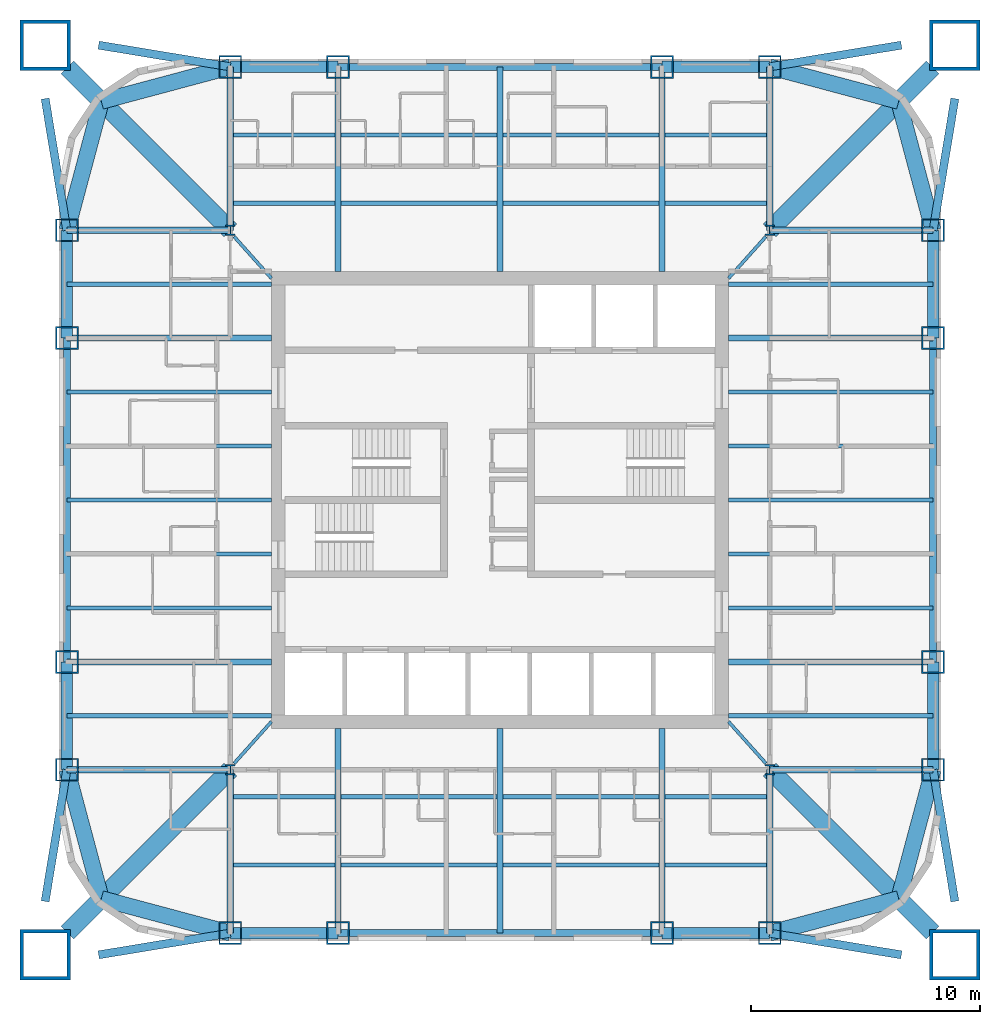
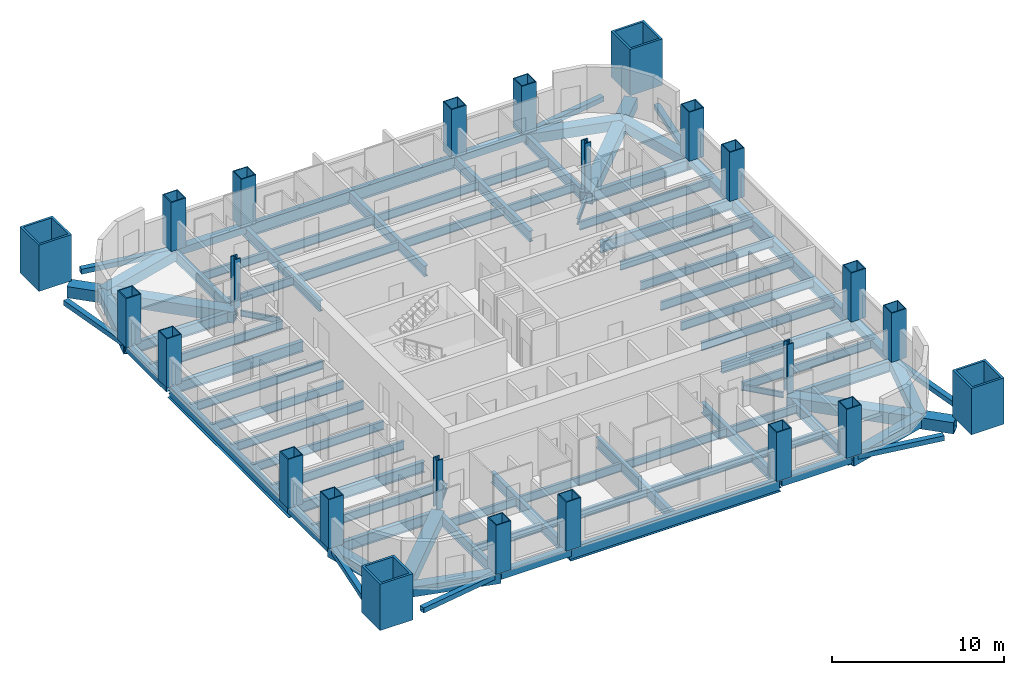
# One storey, part 1 of 9: 84 beams, 24 columns.
"""IFC4 building model written with IfcOpenShell, lengths in metres."""

from ifc_helpers import new_model, si_unit, direction, frame, origin, origin_2d, place, context, subcontext, project, spatial, hollow_rectangle, i_section, extrude, clip, halfspace, material, material_profile, profile_set, type_object, element, save


model = new_model("IFC4")

# Units and contexts
model_context = context("Model", 3, precision=1e-05, world=origin(), true_north=direction((0.0, 1.0)))
body_context = subcontext(model_context, "Body", "Model", "MODEL_VIEW")
ifc_project = project(units=[si_unit("LENGTHUNIT", "METRE"), si_unit("AREAUNIT", "SQUARE_METRE"), si_unit("VOLUMEUNIT", "CUBIC_METRE"), si_unit("PLANEANGLEUNIT", "RADIAN"), si_unit("MASSUNIT", "GRAM", prefix="KILO")], contexts=[model_context])

# Site, building, storey
site_placement = place(None, origin())
site = spatial("IfcSite", under=ifc_project, at=site_placement, CompositionType="ELEMENT")
building_placement = place(site_placement, origin())
building = spatial("IfcBuilding", under=site, at=building_placement, Name="Turquesa Mirador Hotel Tower", CompositionType="ELEMENT")
storey_placement = place(building_placement, frame((0.0, 0.0, 217.800048828125)))
storey = spatial("IfcBuildingStorey", under=building, at=storey_placement, Name="L59", CompositionType="ELEMENT", Elevation=217.800048828125)

# Columns
ifc_material_1 = material(Name="Steel ASTM A572 Grade 50", Category="steel")
ifc_material_profile_1 = material_profile(ifc_material_1, hollow_rectangle(XDim=1.0, YDim=1.0, WallThickness=0.06005859375, at=origin_2d()), Name="BOX1000X1000X60")
ifc_profile_set_1 = profile_set([ifc_material_profile_1], Name="Steel ASTM A572 Grade 50")
column_type_1 = type_object("IfcColumnType", Name="COLUMN BOX1000X1000X60", PredefinedType="COLUMN", material=ifc_profile_set_1)
for number, where, z_axis, x_axis, name in (
    (1, (36.050048828125, 33.199951171875, 0.0), (0.0, 0.0, 1.0), (1.0, 0.0, 0.0), "COL-L59-P--18.95--11.80"),
    (2, (36.050048828125, 37.919921875, 0.0), (0.0, 0.0, 1.0), (1.0, 0.0, 0.0), "COL-L59-P--18.95--7.08"),
    (3, (36.050048828125, 52.080078125, 0.0), (0.0, 0.0, 1.0), (1.0, 0.0, 0.0), "COL-L59-P--18.95-+7.08"),
    (4, (36.050048828125, 56.800048828125, 0.0), (0.0, 0.0, 1.0), (1.0, 0.0, 0.0), "COL-L59-P--18.95-+11.80"),
    (5, (43.199951171875, 26.050048828125, 0.0), (0.0, 0.0, 1.0), (1.0, 0.0, 0.0), "COL-L59-P--11.80--18.95"),
    (6, (43.199951171875, 63.949951171875, 0.0), (0.0, 0.0, 1.0), (1.0, 0.0, 0.0), "COL-L59-P--11.80-+18.95"),
    (7, (47.919921875, 26.050048828125, 0.0), (0.0, 0.0, 1.0), (1.0, 0.0, 0.0), "COL-L59-P--7.08--18.95"),
    (8, (47.919921875, 63.949951171875, 0.0), (0.0, 0.0, 1.0), (1.0, 0.0, 0.0), "COL-L59-P--7.08-+18.95"),
    (9, (62.080078125, 26.050048828125, 0.0), (0.0, 0.0, 1.0), (1.0, 0.0, 0.0), "COL-L59-P-+7.08--18.95"),
    (10, (62.080078125, 63.949951171875, 0.0), (0.0, 0.0, 1.0), (1.0, 0.0, 0.0), "COL-L59-P-+7.08-+18.95"),
    (11, (66.800048828125, 26.050048828125, 0.0), (0.0, 0.0, 1.0), (1.0, 0.0, 0.0), "COL-L59-P-+11.80--18.95"),
    (12, (66.800048828125, 63.949951171875, 0.0), (0.0, 0.0, 1.0), (1.0, 0.0, 0.0), "COL-L59-P-+11.80-+18.95"),
    (13, (73.949951171875, 33.199951171875, 0.0), (0.0, 0.0, 1.0), (1.0, 0.0, 0.0), "COL-L59-P-+18.95--11.80"),
    (14, (73.949951171875, 37.919921875, 0.0), (0.0, 0.0, 1.0), (1.0, 0.0, 0.0), "COL-L59-P-+18.95--7.08"),
    (15, (73.949951171875, 52.080078125, 0.0), (0.0, 0.0, 1.0), (1.0, 0.0, 0.0), "COL-L59-P-+18.95-+7.08"),
    (16, (73.949951171875, 56.800048828125, 0.0), (0.0, 0.0, 1.0), (1.0, 0.0, 0.0), "COL-L59-P-+18.95-+11.80"),
):
    element("IfcColumn", number, at=place(storey_placement, frame(where, z_axis=z_axis, x_axis=x_axis)), inside=storey, type_object=column_type_1, Name=name, PredefinedType="COLUMN", context=body_context, shape_type="SweptSolid", body=[
        extrude(hollow_rectangle(XDim=1.0, YDim=1.0, WallThickness=0.06005859375, at=origin_2d()), origin(), (0.0, 0.0, 1.0), 3.5),
    ])
ifc_material_2 = material(Name="Steel ASTM A992 Grade 50", Category="steel")
ifc_material_profile_2 = material_profile(ifc_material_2, i_section(OverallWidth=0.421630859375, OverallDepth=0.46484375, WebThickness=0.044921875, FlangeThickness=0.072509765625, at=origin_2d()), Name="W14X398")
ifc_profile_set_2 = profile_set([ifc_material_profile_2], Name="Steel ASTM A992 Grade 50")
column_type_2 = type_object("IfcColumnType", Name="COLUMN W14X398", PredefinedType="COLUMN", material=ifc_profile_set_2)
for number, where, z_axis, x_axis, name in (
    (17, (43.199951171875, 33.199951171875, 0.0), (0.0, 0.0, 1.0), (1.0, 0.0, 0.0), "COL-L59-K--11.80--11.80"),
    (18, (43.199951171875, 56.800048828125, 0.0), (0.0, 0.0, 1.0), (1.0, 0.0, 0.0), "COL-L59-K--11.80-+11.80"),
    (19, (66.800048828125, 33.199951171875, 0.0), (0.0, 0.0, 1.0), (1.0, 0.0, 0.0), "COL-L59-K-+11.80--11.80"),
    (20, (66.800048828125, 56.800048828125, 0.0), (0.0, 0.0, 1.0), (1.0, 0.0, 0.0), "COL-L59-K-+11.80-+11.80"),
):
    element("IfcColumn", number, at=place(storey_placement, frame(where, z_axis=z_axis, x_axis=x_axis)), inside=storey, type_object=column_type_2, Name=name, PredefinedType="COLUMN", context=body_context, shape_type="SweptSolid", body=[
        extrude(i_section(OverallWidth=0.421630859375, OverallDepth=0.46484375, WebThickness=0.044921875, FlangeThickness=0.072509765625, at=origin_2d()), origin(), (0.0, 0.0, 1.0), 3.5),
    ])
ifc_material_3 = material(Name="Steel ASTM A514 Grade Q", Category="steel")
ifc_material_profile_3 = material_profile(ifc_material_3, hollow_rectangle(XDim=2.199951171875, YDim=2.199951171875, WallThickness=0.14990234375, at=origin_2d()), Name="BOX2200X2200X150")
ifc_profile_set_3 = profile_set([ifc_material_profile_3], Name="Steel ASTM A514 Grade Q")
column_type_3 = type_object("IfcColumnType", Name="MEGA COLUMN BOX2200X2200X150", PredefinedType="COLUMN", material=ifc_profile_set_3)
for number, where, z_axis, x_axis, name in (
    (21, (74.89990234375, 64.89990234375, 0.0), (0.0, 0.0, 1.0), (1.0, 0.0, 0.0), "Mega column M1"),
    (22, (35.10009765625, 64.89990234375, 0.0), (0.0, 0.0, 1.0), (1.0, 0.0, 0.0), "Mega column M2"),
    (23, (35.10009765625, 25.10009765625, 0.0), (0.0, 0.0, 1.0), (1.0, 0.0, 0.0), "Mega column M3"),
    (24, (74.89990234375, 25.10009765625, 0.0), (0.0, 0.0, 1.0), (1.0, 0.0, 0.0), "Mega column M4"),
):
    element("IfcColumn", number, at=place(storey_placement, frame(where, z_axis=z_axis, x_axis=x_axis)), inside=storey, type_object=column_type_3, Name=name, PredefinedType="COLUMN", context=body_context, shape_type="Clipping", body=[
        clip(extrude(hollow_rectangle(XDim=2.199951171875, YDim=2.199951171875, WallThickness=0.14990234375, at=origin_2d()), origin(), (0.0, 0.0, 1.0), 3.5), halfspace(frame((0.0, 0.0, 3.298095703125), z_axis=(0.0, 0.0, 1.0), x_axis=(1.0, 0.0, 0.0)), False)),
    ])

# Beams
ifc_material_4 = material(Name="Steel ASTM A572 Grade 50", Category="steel")
ifc_material_profile_4 = material_profile(ifc_material_4, hollow_rectangle(XDim=0.5, YDim=0.5, WallThickness=0.01611328125, at=origin_2d()), Name="BOX500X500X16")
ifc_profile_set_4 = profile_set([ifc_material_profile_4], Name="Steel ASTM A572 Grade 50")
beam_type_1 = type_object("IfcBeamType", Name="BEAM BOX500X500X16", PredefinedType="BEAM", material=ifc_profile_set_4)
for number, where, z_axis, x_axis, name in (
    (25, (43.199951171875, 63.949951171875, -0.420166015625), (1.0, 0.0, 0.0), (0.0, 1.0, 0.0), "EB-L59-N-L"),
    (26, (62.080078125, 63.949951171875, -0.420166015625), (1.0, 0.0, 0.0), (0.0, 1.0, 0.0), "EB-L59-N-R"),
    (27, (43.199951171875, 26.050048828125, -0.420166015625), (1.0, 0.0, 0.0), (0.0, 1.0, 0.0), "EB-L59-S-L"),
    (28, (62.080078125, 26.050048828125, -0.420166015625), (1.0, 0.0, 0.0), (0.0, 1.0, 0.0), "EB-L59-S-R"),
    (29, (73.949951171875, 33.199951171875, -0.420166015625), (0.0, 1.0, 0.0), (-1.0, 0.0, 0.0), "EB-L59-E-L"),
    (30, (73.949951171875, 52.080078125, -0.420166015625), (0.0, 1.0, 0.0), (-1.0, 0.0, 0.0), "EB-L59-E-R"),
    (31, (36.050048828125, 33.199951171875, -0.420166015625), (0.0, 1.0, 0.0), (-1.0, 0.0, 0.0), "EB-L59-W-L"),
    (32, (36.050048828125, 52.080078125, -0.420166015625), (0.0, 1.0, 0.0), (-1.0, 0.0, 0.0), "EB-L59-W-R"),
):
    element("IfcBeam", number, at=place(storey_placement, frame(where, z_axis=z_axis, x_axis=x_axis)), inside=storey, type_object=beam_type_1, Name=name, PredefinedType="BEAM", context=body_context, shape_type="SweptSolid", body=[
        extrude(hollow_rectangle(XDim=0.5, YDim=0.5, WallThickness=0.01611328125, at=origin_2d()), origin(), (0.0, 0.0, 1.0), 4.719970703125),
    ])
ifc_material_5 = material(Name="Steel ASTM A572 Grade 50", Category="steel")
ifc_material_profile_5 = material_profile(ifc_material_5, hollow_rectangle(XDim=0.699951171875, YDim=0.699951171875, WallThickness=0.044921875, at=origin_2d()), Name="BOX700X700X45")
ifc_profile_set_5 = profile_set([ifc_material_profile_5], Name="Steel ASTM A572 Grade 50")
beam_type_2 = type_object("IfcBeamType", Name="BEAM BOX700X700X45", PredefinedType="BEAM", material=ifc_profile_set_5)
for number, where, z_axis, x_axis, name in (
    (33, (73.949951171875, 56.800048828125, -0.52001953125), (-0.258281892145, 0.966069595935, 0.0), (-0.966069595935, -0.258281892145, 0.0), "KE-L59-1-0"),
    (34, (72.441650390625, 62.441650390625, -0.52001953125), (-0.966069595935, 0.258281892145, 0.0), (-0.258281892145, -0.966069595935, 0.0), "KE-L59-1-1"),
    (35, (36.050048828125, 56.800048828125, -0.52001953125), (0.258281892145, 0.966069595935, 0.0), (-0.966069595935, 0.258281892145, 0.0), "KE-L59-2-0"),
    (36, (37.558349609375, 62.441650390625, -0.52001953125), (0.966069595935, 0.258281892145, 0.0), (-0.258281892145, 0.966069595935, 0.0), "KE-L59-2-1"),
    (37, (36.050048828125, 33.199951171875, -0.52001953125), (0.258281892145, -0.966069595935, 0.0), (0.966069595935, 0.258281892145, 0.0), "KE-L59-3-0"),
    (38, (37.558349609375, 27.558349609375, -0.52001953125), (0.966069595935, -0.258281892145, 0.0), (0.258281892145, 0.966069595935, 0.0), "KE-L59-3-1"),
    (39, (73.949951171875, 33.199951171875, -0.52001953125), (-0.258281892145, -0.966069595935, 0.0), (0.966069595935, -0.258281892145, 0.0), "KE-L59-4-0"),
    (40, (72.441650390625, 27.558349609375, -0.52001953125), (-0.966069595935, -0.258281892145, 0.0), (0.258281892145, -0.966069595935, 0.0), "KE-L59-4-1"),
):
    element("IfcBeam", number, at=place(storey_placement, frame(where, z_axis=z_axis, x_axis=x_axis)), inside=storey, type_object=beam_type_2, Name=name, PredefinedType="BEAM", context=body_context, shape_type="SweptSolid", body=[
        extrude(hollow_rectangle(XDim=0.699951171875, YDim=0.699951171875, WallThickness=0.044921875, at=origin_2d()), origin(), (0.0, 0.0, 1.0), 5.83984375),
    ])
ifc_material_6 = material(Name="Steel ASTM A572 Grade 50", Category="steel")
ifc_material_profile_6 = material_profile(ifc_material_6, hollow_rectangle(XDim=0.800048828125, YDim=0.800048828125, WallThickness=0.050048828125, at=origin_2d()), Name="BOX800X800X50")
ifc_profile_set_6 = profile_set([ifc_material_profile_6], Name="Steel ASTM A572 Grade 50")
beam_type_3 = type_object("IfcBeamType", Name="BEAM BOX800X800X50", PredefinedType="BEAM", material=ifc_profile_set_6)
for number, where, z_axis, x_axis, name in (
    (41, (66.800048828125, 56.800048828125, -0.570068359375), (0.707106781187, 0.707106781187, 0.0), (-0.707106781187, 0.707106781187, 0.0), "KD-L59-1"),
    (42, (43.199951171875, 56.800048828125, -0.570068359375), (-0.707106781187, 0.707106781187, 0.0), (-0.707106781187, -0.707106781187, 0.0), "KD-L59-2"),
    (43, (43.199951171875, 33.199951171875, -0.570068359375), (-0.707106781187, -0.707106781187, 0.0), (0.707106781187, -0.707106781187, 0.0), "KD-L59-3"),
    (44, (66.800048828125, 33.199951171875, -0.570068359375), (0.707106781187, -0.707106781187, 0.0), (0.707106781187, 0.707106781187, 0.0), "KD-L59-4"),
):
    element("IfcBeam", number, at=place(storey_placement, frame(where, z_axis=z_axis, x_axis=x_axis)), inside=storey, type_object=beam_type_3, Name=name, PredefinedType="BEAM", context=body_context, shape_type="SweptSolid", body=[
        extrude(hollow_rectangle(XDim=0.800048828125, YDim=0.800048828125, WallThickness=0.050048828125, at=origin_2d()), origin(), (0.0, 0.0, 1.0), 10.080322265625),
    ])
ifc_material_7 = material(Name="Steel ASTM A992 Grade 50", Category="steel")
ifc_material_profile_7 = material_profile(ifc_material_7, i_section(OverallWidth=0.140380859375, OverallDepth=0.40380859375, WebThickness=0.007080078125, FlangeThickness=0.01123046875, at=origin_2d()), Name="W16X31")
ifc_profile_set_7 = profile_set([ifc_material_profile_7], Name="Steel ASTM A992 Grade 50")
beam_type_4 = type_object("IfcBeamType", Name="BEAM W16X31", PredefinedType="BEAM", material=ifc_profile_set_7)
for number, where, z_axis, x_axis, name in (
    (45, (66.634765625, 56.527099609375, -0.3720703125), (-0.666783216266, -0.745251730964, 0.0), (0.745251730964, -0.666783216266, 0.0), "KT-L59-1"),
    (46, (43.365234375, 56.527099609375, -0.3720703125), (0.666783216266, -0.745251730964, 0.0), (0.745251730964, 0.666783216266, 0.0), "KT-L59-2"),
    (47, (43.365234375, 33.472900390625, -0.3720703125), (0.666783216266, 0.745251730964, 0.0), (-0.745251730964, 0.666783216266, 0.0), "KT-L59-3"),
    (48, (66.634765625, 33.472900390625, -0.3720703125), (-0.666783216266, 0.745251730964, 0.0), (-0.745251730964, -0.666783216266, 0.0), "KT-L59-4"),
):
    element("IfcBeam", number, at=place(storey_placement, frame(where, z_axis=z_axis, x_axis=x_axis)), inside=storey, type_object=beam_type_4, Name=name, PredefinedType="BEAM", context=body_context, shape_type="SweptSolid", body=[
        extrude(i_section(OverallWidth=0.140380859375, OverallDepth=0.40380859375, WebThickness=0.007080078125, FlangeThickness=0.01123046875, at=origin_2d()), origin(), (0.0, 0.0, 1.0), 2.45166015625),
    ])
ifc_material_8 = material(Name="Steel ASTM A992 Grade 50", Category="steel")
ifc_material_profile_8 = material_profile(ifc_material_8, i_section(OverallWidth=0.177978515625, OverallDepth=0.599365234375, WebThickness=0.010009765625, FlangeThickness=0.012939453125, at=origin_2d()), Name="W24X55")
ifc_profile_set_8 = profile_set([ifc_material_profile_8], Name="Steel ASTM A992 Grade 50")
beam_type_5 = type_object("IfcBeamType", Name="BEAM W24X55", PredefinedType="BEAM", material=ifc_profile_set_8)
beam_1_placement = place(storey_placement, frame((43.333251953125, 57.98291015625, -0.4697265625), z_axis=(1.0, 0.0, 0.0), x_axis=(0.0, 1.0, 0.0)))
element("IfcBeam", 49, at=beam_1_placement, inside=storey, type_object=beam_type_5, Name="IB-L59-N-1-0", PredefinedType="BEAM", context=body_context, shape_type="SweptSolid", body=[
    extrude(i_section(OverallWidth=0.177978515625, OverallDepth=0.599365234375, WebThickness=0.010009765625, FlangeThickness=0.012939453125, at=origin_2d()), origin(), (0.0, 0.0, 1.0), 4.453369140625),
])
for number, where, z_axis, x_axis, name in (
    (50, (48.053466796875, 57.98291015625, -0.4697265625), (1.0, 0.0, 0.0), (0.0, 1.0, 0.0), "IB-L59-N-1-1"),
    (51, (55.13330078125, 57.98291015625, -0.4697265625), (1.0, 0.0, 0.0), (0.0, 1.0, 0.0), "IB-L59-N-1-2"),
):
    element("IfcBeam", number, at=place(storey_placement, frame(where, z_axis=z_axis, x_axis=x_axis)), inside=storey, type_object=beam_type_5, Name=name, PredefinedType="BEAM", context=body_context, shape_type="SweptSolid", body=[
        extrude(i_section(OverallWidth=0.177978515625, OverallDepth=0.599365234375, WebThickness=0.010009765625, FlangeThickness=0.012939453125, at=origin_2d()), origin(), (0.0, 0.0, 1.0), 6.813232421875),
    ])
for number, where, z_axis, x_axis, name in (
    (52, (62.21337890625, 57.98291015625, -0.4697265625), (1.0, 0.0, 0.0), (0.0, 1.0, 0.0), "IB-L59-N-1-3"),
    (53, (43.333251953125, 60.967041015625, -0.4697265625), (1.0, 0.0, 0.0), (0.0, 1.0, 0.0), "IB-L59-N-2-0"),
):
    element("IfcBeam", number, at=place(storey_placement, frame(where, z_axis=z_axis, x_axis=x_axis)), inside=storey, type_object=beam_type_5, Name=name, PredefinedType="BEAM", context=body_context, shape_type="SweptSolid", body=[
        extrude(i_section(OverallWidth=0.177978515625, OverallDepth=0.599365234375, WebThickness=0.010009765625, FlangeThickness=0.012939453125, at=origin_2d()), origin(), (0.0, 0.0, 1.0), 4.453369140625),
    ])
for number, where, z_axis, x_axis, name in (
    (54, (48.053466796875, 60.967041015625, -0.4697265625), (1.0, 0.0, 0.0), (0.0, 1.0, 0.0), "IB-L59-N-2-1"),
    (55, (55.13330078125, 60.967041015625, -0.4697265625), (1.0, 0.0, 0.0), (0.0, 1.0, 0.0), "IB-L59-N-2-2"),
):
    element("IfcBeam", number, at=place(storey_placement, frame(where, z_axis=z_axis, x_axis=x_axis)), inside=storey, type_object=beam_type_5, Name=name, PredefinedType="BEAM", context=body_context, shape_type="SweptSolid", body=[
        extrude(i_section(OverallWidth=0.177978515625, OverallDepth=0.599365234375, WebThickness=0.010009765625, FlangeThickness=0.012939453125, at=origin_2d()), origin(), (0.0, 0.0, 1.0), 6.813232421875),
    ])
for number, where, z_axis, x_axis, name in (
    (56, (62.21337890625, 60.967041015625, -0.4697265625), (1.0, 0.0, 0.0), (0.0, 1.0, 0.0), "IB-L59-N-2-3"),
    (57, (43.333251953125, 32.01708984375, -0.4697265625), (1.0, 0.0, 0.0), (0.0, 1.0, 0.0), "IB-L59-S-1-0"),
):
    element("IfcBeam", number, at=place(storey_placement, frame(where, z_axis=z_axis, x_axis=x_axis)), inside=storey, type_object=beam_type_5, Name=name, PredefinedType="BEAM", context=body_context, shape_type="SweptSolid", body=[
        extrude(i_section(OverallWidth=0.177978515625, OverallDepth=0.599365234375, WebThickness=0.010009765625, FlangeThickness=0.012939453125, at=origin_2d()), origin(), (0.0, 0.0, 1.0), 4.453369140625),
    ])
for number, where, z_axis, x_axis, name in (
    (58, (48.053466796875, 32.01708984375, -0.4697265625), (1.0, 0.0, 0.0), (0.0, 1.0, 0.0), "IB-L59-S-1-1"),
    (59, (55.13330078125, 32.01708984375, -0.4697265625), (1.0, 0.0, 0.0), (0.0, 1.0, 0.0), "IB-L59-S-1-2"),
):
    element("IfcBeam", number, at=place(storey_placement, frame(where, z_axis=z_axis, x_axis=x_axis)), inside=storey, type_object=beam_type_5, Name=name, PredefinedType="BEAM", context=body_context, shape_type="SweptSolid", body=[
        extrude(i_section(OverallWidth=0.177978515625, OverallDepth=0.599365234375, WebThickness=0.010009765625, FlangeThickness=0.012939453125, at=origin_2d()), origin(), (0.0, 0.0, 1.0), 6.813232421875),
    ])
for number, where, z_axis, x_axis, name in (
    (60, (62.21337890625, 32.01708984375, -0.4697265625), (1.0, 0.0, 0.0), (0.0, 1.0, 0.0), "IB-L59-S-1-3"),
    (61, (43.333251953125, 29.032958984375, -0.4697265625), (1.0, 0.0, 0.0), (0.0, 1.0, 0.0), "IB-L59-S-2-0"),
):
    element("IfcBeam", number, at=place(storey_placement, frame(where, z_axis=z_axis, x_axis=x_axis)), inside=storey, type_object=beam_type_5, Name=name, PredefinedType="BEAM", context=body_context, shape_type="SweptSolid", body=[
        extrude(i_section(OverallWidth=0.177978515625, OverallDepth=0.599365234375, WebThickness=0.010009765625, FlangeThickness=0.012939453125, at=origin_2d()), origin(), (0.0, 0.0, 1.0), 4.453369140625),
    ])
for number, where, z_axis, x_axis, name in (
    (62, (48.053466796875, 29.032958984375, -0.4697265625), (1.0, 0.0, 0.0), (0.0, 1.0, 0.0), "IB-L59-S-2-1"),
    (63, (55.13330078125, 29.032958984375, -0.4697265625), (1.0, 0.0, 0.0), (0.0, 1.0, 0.0), "IB-L59-S-2-2"),
):
    element("IfcBeam", number, at=place(storey_placement, frame(where, z_axis=z_axis, x_axis=x_axis)), inside=storey, type_object=beam_type_5, Name=name, PredefinedType="BEAM", context=body_context, shape_type="SweptSolid", body=[
        extrude(i_section(OverallWidth=0.177978515625, OverallDepth=0.599365234375, WebThickness=0.010009765625, FlangeThickness=0.012939453125, at=origin_2d()), origin(), (0.0, 0.0, 1.0), 6.813232421875),
    ])
beam_2_placement = place(storey_placement, frame((62.21337890625, 29.032958984375, -0.4697265625), z_axis=(1.0, 0.0, 0.0), x_axis=(0.0, 1.0, 0.0)))
element("IfcBeam", 64, at=beam_2_placement, inside=storey, type_object=beam_type_5, Name="IB-L59-S-2-3", PredefinedType="BEAM", context=body_context, shape_type="SweptSolid", body=[
    extrude(i_section(OverallWidth=0.177978515625, OverallDepth=0.599365234375, WebThickness=0.010009765625, FlangeThickness=0.012939453125, at=origin_2d()), origin(), (0.0, 0.0, 1.0), 4.453369140625),
])
for number, where, z_axis, x_axis, name in (
    (65, (73.949951171875, 35.56005859375, -0.4697265625), (-1.0, 0.0, 0.0), (0.0, -1.0, 0.0), "BM-L59-E--9.44"),
    (66, (73.949951171875, 40.280029296875, -0.4697265625), (-1.0, 0.0, 0.0), (0.0, -1.0, 0.0), "BM-L59-E--4.72"),
    (67, (73.949951171875, 42.639892578125, -0.4697265625), (-1.0, 0.0, 0.0), (0.0, -1.0, 0.0), "BM-L59-E--2.36"),
    (68, (73.949951171875, 45.0, -0.4697265625), (-1.0, 0.0, 0.0), (0.0, -1.0, 0.0), "BM-L59-E-+0.00"),
    (69, (73.949951171875, 47.360107421875, -0.4697265625), (-1.0, 0.0, 0.0), (0.0, -1.0, 0.0), "BM-L59-E-+2.36"),
    (70, (73.949951171875, 49.719970703125, -0.4697265625), (-1.0, 0.0, 0.0), (0.0, -1.0, 0.0), "BM-L59-E-+4.72"),
    (71, (73.949951171875, 54.43994140625, -0.4697265625), (-1.0, 0.0, 0.0), (0.0, -1.0, 0.0), "BM-L59-E-+9.44"),
    (72, (36.050048828125, 35.56005859375, -0.4697265625), (1.0, 0.0, 0.0), (0.0, 1.0, 0.0), "BM-L59-W--9.44"),
    (73, (36.050048828125, 40.280029296875, -0.4697265625), (1.0, 0.0, 0.0), (0.0, 1.0, 0.0), "BM-L59-W--4.72"),
    (74, (36.050048828125, 42.639892578125, -0.4697265625), (1.0, 0.0, 0.0), (0.0, 1.0, 0.0), "BM-L59-W--2.36"),
    (75, (36.050048828125, 45.0, -0.4697265625), (1.0, 0.0, 0.0), (0.0, 1.0, 0.0), "BM-L59-W-+0.00"),
    (76, (36.050048828125, 47.360107421875, -0.4697265625), (1.0, 0.0, 0.0), (0.0, 1.0, 0.0), "BM-L59-W-+2.36"),
    (77, (36.050048828125, 49.719970703125, -0.4697265625), (1.0, 0.0, 0.0), (0.0, 1.0, 0.0), "BM-L59-W-+4.72"),
    (78, (36.050048828125, 54.43994140625, -0.4697265625), (1.0, 0.0, 0.0), (0.0, 1.0, 0.0), "BM-L59-W-+9.44"),
):
    element("IfcBeam", number, at=place(storey_placement, frame(where, z_axis=z_axis, x_axis=x_axis)), inside=storey, type_object=beam_type_5, Name=name, PredefinedType="BEAM", context=body_context, shape_type="SweptSolid", body=[
        extrude(i_section(OverallWidth=0.177978515625, OverallDepth=0.599365234375, WebThickness=0.010009765625, FlangeThickness=0.012939453125, at=origin_2d()), origin(), (0.0, 0.0, 1.0), 8.949951171875),
    ])
ifc_material_9 = material(Name="Steel ASTM A992 Grade 50", Category="steel")
ifc_material_profile_9 = material_profile(ifc_material_9, i_section(OverallWidth=0.2666015625, OverallDepth=0.7568359375, WebThickness=0.013916015625, FlangeThickness=0.019287109375, at=origin_2d()), Name="W30X108")
ifc_profile_set_9 = profile_set([ifc_material_profile_9], Name="Steel ASTM A992 Grade 50")
beam_type_6 = type_object("IfcBeamType", Name="BEAM W30X108", PredefinedType="BEAM", material=ifc_profile_set_9)
for number, where, z_axis, x_axis, name in (
    (79, (47.919921875, 63.949951171875, -0.548583984375), (0.0, -1.0, 0.0), (1.0, 0.0, 0.0), "GD-L59-N--7.08"),
    (80, (62.080078125, 63.949951171875, -0.548583984375), (0.0, -1.0, 0.0), (1.0, 0.0, 0.0), "GD-L59-N-+7.08"),
    (81, (55.0, 63.949951171875, -0.548583984375), (0.0, -1.0, 0.0), (1.0, 0.0, 0.0), "GD-L59-N-+0.00"),
):
    element("IfcBeam", number, at=place(storey_placement, frame(where, z_axis=z_axis, x_axis=x_axis)), inside=storey, type_object=beam_type_6, Name=name, PredefinedType="BEAM", context=body_context, shape_type="SweptSolid", body=[
        extrude(i_section(OverallWidth=0.2666015625, OverallDepth=0.7568359375, WebThickness=0.013916015625, FlangeThickness=0.019287109375, at=origin_2d()), origin(), (0.0, 0.0, 1.0), 8.949951171875),
    ])
for number, where, z_axis, x_axis, name in (
    (82, (43.199951171875, 63.949951171875, -0.548583984375), (0.0, -1.0, 0.0), (1.0, 0.0, 0.0), "GK-L59-N--11.80"),
    (83, (66.800048828125, 63.949951171875, -0.548583984375), (0.0, -1.0, 0.0), (1.0, 0.0, 0.0), "GK-L59-N-+11.80"),
):
    element("IfcBeam", number, at=place(storey_placement, frame(where, z_axis=z_axis, x_axis=x_axis)), inside=storey, type_object=beam_type_6, Name=name, PredefinedType="BEAM", context=body_context, shape_type="SweptSolid", body=[
        extrude(i_section(OverallWidth=0.2666015625, OverallDepth=0.7568359375, WebThickness=0.013916015625, FlangeThickness=0.019287109375, at=origin_2d()), origin(), (0.0, 0.0, 1.0), 7.14990234375),
    ])
for number, where, z_axis, x_axis, name in (
    (84, (47.919921875, 26.050048828125, -0.548583984375), (0.0, 1.0, 0.0), (-1.0, 0.0, 0.0), "GD-L59-S--7.08"),
    (85, (62.080078125, 26.050048828125, -0.548583984375), (0.0, 1.0, 0.0), (-1.0, 0.0, 0.0), "GD-L59-S-+7.08"),
    (86, (55.0, 26.050048828125, -0.548583984375), (0.0, 1.0, 0.0), (-1.0, 0.0, 0.0), "GD-L59-S-+0.00"),
):
    element("IfcBeam", number, at=place(storey_placement, frame(where, z_axis=z_axis, x_axis=x_axis)), inside=storey, type_object=beam_type_6, Name=name, PredefinedType="BEAM", context=body_context, shape_type="SweptSolid", body=[
        extrude(i_section(OverallWidth=0.2666015625, OverallDepth=0.7568359375, WebThickness=0.013916015625, FlangeThickness=0.019287109375, at=origin_2d()), origin(), (0.0, 0.0, 1.0), 8.949951171875),
    ])
for number, where, z_axis, x_axis, name in (
    (87, (43.199951171875, 26.050048828125, -0.548583984375), (0.0, 1.0, 0.0), (-1.0, 0.0, 0.0), "GK-L59-S--11.80"),
    (88, (66.800048828125, 26.050048828125, -0.548583984375), (0.0, 1.0, 0.0), (-1.0, 0.0, 0.0), "GK-L59-S-+11.80"),
):
    element("IfcBeam", number, at=place(storey_placement, frame(where, z_axis=z_axis, x_axis=x_axis)), inside=storey, type_object=beam_type_6, Name=name, PredefinedType="BEAM", context=body_context, shape_type="SweptSolid", body=[
        extrude(i_section(OverallWidth=0.2666015625, OverallDepth=0.7568359375, WebThickness=0.013916015625, FlangeThickness=0.019287109375, at=origin_2d()), origin(), (0.0, 0.0, 1.0), 7.14990234375),
    ])
for number, where, z_axis, x_axis, name in (
    (89, (73.949951171875, 37.919921875, -0.548583984375), (-1.0, 0.0, 0.0), (0.0, -1.0, 0.0), "GD-L59-E--7.08"),
    (90, (73.949951171875, 52.080078125, -0.548583984375), (-1.0, 0.0, 0.0), (0.0, -1.0, 0.0), "GD-L59-E-+7.08"),
):
    element("IfcBeam", number, at=place(storey_placement, frame(where, z_axis=z_axis, x_axis=x_axis)), inside=storey, type_object=beam_type_6, Name=name, PredefinedType="BEAM", context=body_context, shape_type="SweptSolid", body=[
        extrude(i_section(OverallWidth=0.2666015625, OverallDepth=0.7568359375, WebThickness=0.013916015625, FlangeThickness=0.019287109375, at=origin_2d()), origin(), (0.0, 0.0, 1.0), 8.949951171875),
    ])
for number, where, z_axis, x_axis, name in (
    (91, (73.949951171875, 33.199951171875, -0.548583984375), (-1.0, 0.0, 0.0), (0.0, -1.0, 0.0), "GK-L59-E--11.80"),
    (92, (73.949951171875, 56.800048828125, -0.548583984375), (-1.0, 0.0, 0.0), (0.0, -1.0, 0.0), "GK-L59-E-+11.80"),
):
    element("IfcBeam", number, at=place(storey_placement, frame(where, z_axis=z_axis, x_axis=x_axis)), inside=storey, type_object=beam_type_6, Name=name, PredefinedType="BEAM", context=body_context, shape_type="SweptSolid", body=[
        extrude(i_section(OverallWidth=0.2666015625, OverallDepth=0.7568359375, WebThickness=0.013916015625, FlangeThickness=0.019287109375, at=origin_2d()), origin(), (0.0, 0.0, 1.0), 7.14990234375),
    ])
for number, where, z_axis, x_axis, name in (
    (93, (36.050048828125, 37.919921875, -0.548583984375), (1.0, 0.0, 0.0), (0.0, 1.0, 0.0), "GD-L59-W--7.08"),
    (94, (36.050048828125, 52.080078125, -0.548583984375), (1.0, 0.0, 0.0), (0.0, 1.0, 0.0), "GD-L59-W-+7.08"),
):
    element("IfcBeam", number, at=place(storey_placement, frame(where, z_axis=z_axis, x_axis=x_axis)), inside=storey, type_object=beam_type_6, Name=name, PredefinedType="BEAM", context=body_context, shape_type="SweptSolid", body=[
        extrude(i_section(OverallWidth=0.2666015625, OverallDepth=0.7568359375, WebThickness=0.013916015625, FlangeThickness=0.019287109375, at=origin_2d()), origin(), (0.0, 0.0, 1.0), 8.949951171875),
    ])
for number, where, z_axis, x_axis, name in (
    (95, (36.050048828125, 33.199951171875, -0.548583984375), (1.0, 0.0, 0.0), (0.0, 1.0, 0.0), "GK-L59-W--11.80"),
    (96, (36.050048828125, 56.800048828125, -0.548583984375), (1.0, 0.0, 0.0), (0.0, 1.0, 0.0), "GK-L59-W-+11.80"),
):
    element("IfcBeam", number, at=place(storey_placement, frame(where, z_axis=z_axis, x_axis=x_axis)), inside=storey, type_object=beam_type_6, Name=name, PredefinedType="BEAM", context=body_context, shape_type="SweptSolid", body=[
        extrude(i_section(OverallWidth=0.2666015625, OverallDepth=0.7568359375, WebThickness=0.013916015625, FlangeThickness=0.019287109375, at=origin_2d()), origin(), (0.0, 0.0, 1.0), 7.14990234375),
    ])
ifc_material_10 = material(Name="Steel ASTM A992 Grade 50", Category="steel")
ifc_material_profile_10 = material_profile(ifc_material_10, i_section(OverallWidth=0.3046875, OverallDepth=0.911865234375, WebThickness=0.015869140625, FlangeThickness=0.02392578125, at=origin_2d()), Name="W36X150")
ifc_profile_set_10 = profile_set([ifc_material_profile_10], Name="Steel ASTM A992 Grade 50")
beam_type_7 = type_object("IfcBeamType", Name="BEAM W36X150", PredefinedType="BEAM", material=ifc_profile_set_10)
for number, where, z_axis, x_axis, name in (
    (97, (47.919921875, 63.949951171875, -0.6259765625), (1.0, 0.0, 0.0), (0.0, 1.0, 0.0), "EB-L59-N-C"),
    (98, (47.919921875, 26.050048828125, -0.6259765625), (1.0, 0.0, 0.0), (0.0, 1.0, 0.0), "EB-L59-S-C"),
    (99, (73.949951171875, 37.919921875, -0.6259765625), (0.0, 1.0, 0.0), (-1.0, 0.0, 0.0), "EB-L59-E-C"),
    (100, (36.050048828125, 37.919921875, -0.6259765625), (0.0, 1.0, 0.0), (-1.0, 0.0, 0.0), "EB-L59-W-C"),
):
    element("IfcBeam", number, at=place(storey_placement, frame(where, z_axis=z_axis, x_axis=x_axis)), inside=storey, type_object=beam_type_7, Name=name, PredefinedType="BEAM", context=body_context, shape_type="SweptSolid", body=[
        extrude(i_section(OverallWidth=0.3046875, OverallDepth=0.911865234375, WebThickness=0.015869140625, FlangeThickness=0.02392578125, at=origin_2d()), origin(), (0.0, 0.0, 1.0), 14.16015625),
    ])
ifc_material_11 = material(Name="Steel ASTM A500 Grade C", Category="steel")
ifc_material_profile_11 = material_profile(ifc_material_11, hollow_rectangle(XDim=0.355712890625, YDim=0.355712890625, WallThickness=0.0146484375, at=origin_2d()), Name="HSS14X14X5/8")
ifc_profile_set_11 = profile_set([ifc_material_profile_11], Name="Steel ASTM A500 Grade C")
beam_type_8 = type_object("IfcBeamType", Name="BRACE STRUT HSS14X14X5/8", PredefinedType="BEAM", material=ifc_profile_set_11)
for number, where, z_axis, x_axis, name in (
    (101, (72.558837890625, 64.89990234375, -0.347900390625), (-0.986666143261, -0.162757247898, 0.0), (0.162757247898, -0.986666143261, 0.0), "Brace strut"),
    (102, (37.441162109375, 64.89990234375, -0.347900390625), (0.986666143261, -0.162757247898, 0.0), (0.162757247898, 0.986666143261, 0.0), "Brace strut"),
    (103, (72.558837890625, 25.10009765625, -0.347900390625), (-0.986666143261, 0.162757247898, 0.0), (-0.162757247898, -0.986666143261, 0.0), "Brace strut"),
    (104, (37.441162109375, 25.10009765625, -0.347900390625), (0.986666143261, 0.162757247898, 0.0), (-0.162757247898, 0.986666143261, 0.0), "Brace strut"),
    (105, (74.89990234375, 62.558837890625, -0.347900390625), (-0.162757247898, -0.986666143261, 0.0), (0.986666143261, -0.162757247898, 0.0), "Brace strut"),
    (106, (74.89990234375, 27.441162109375, -0.347900390625), (-0.162757247898, 0.986666143261, 0.0), (-0.986666143261, -0.162757247898, 0.0), "Brace strut"),
    (107, (35.10009765625, 62.558837890625, -0.347900390625), (0.162757247898, -0.986666143261, 0.0), (0.986666143261, 0.162757247898, 0.0), "Brace strut"),
    (108, (35.10009765625, 27.441162109375, -0.347900390625), (0.162757247898, 0.986666143261, 0.0), (-0.986666143261, 0.162757247898, 0.0), "Brace strut"),
):
    element("IfcBeam", number, at=place(storey_placement, frame(where, z_axis=z_axis, x_axis=x_axis)), inside=storey, type_object=beam_type_8, Name=name, PredefinedType="BEAM", context=body_context, shape_type="SweptSolid", body=[
        extrude(hollow_rectangle(XDim=0.355712890625, YDim=0.355712890625, WallThickness=0.0146484375, at=origin_2d()), origin(), (0.0, 0.0, 1.0), 5.836669921875),
    ])

save(model, "model.ifc")
